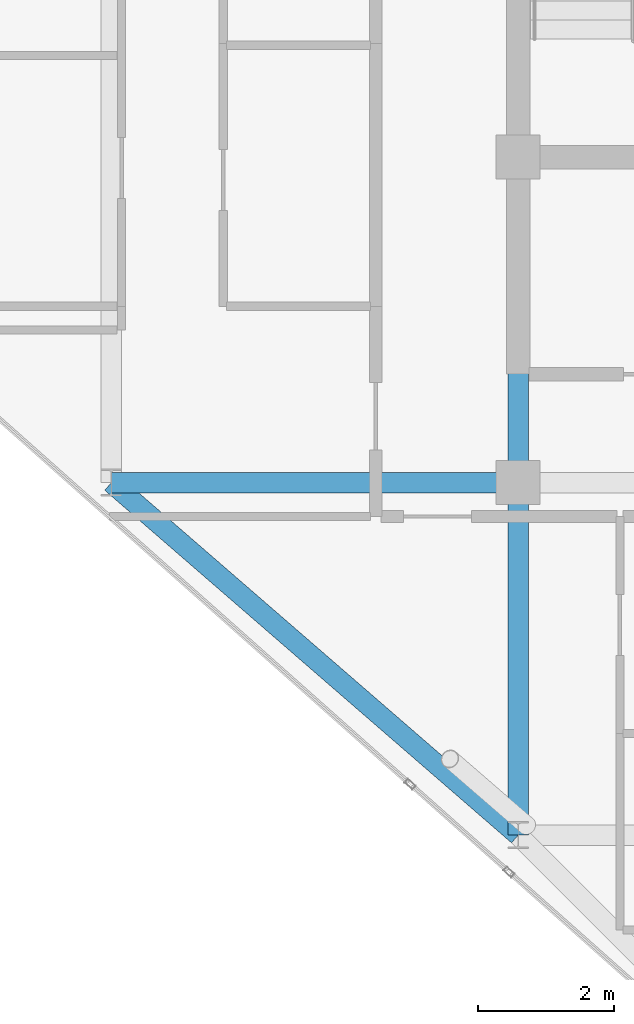
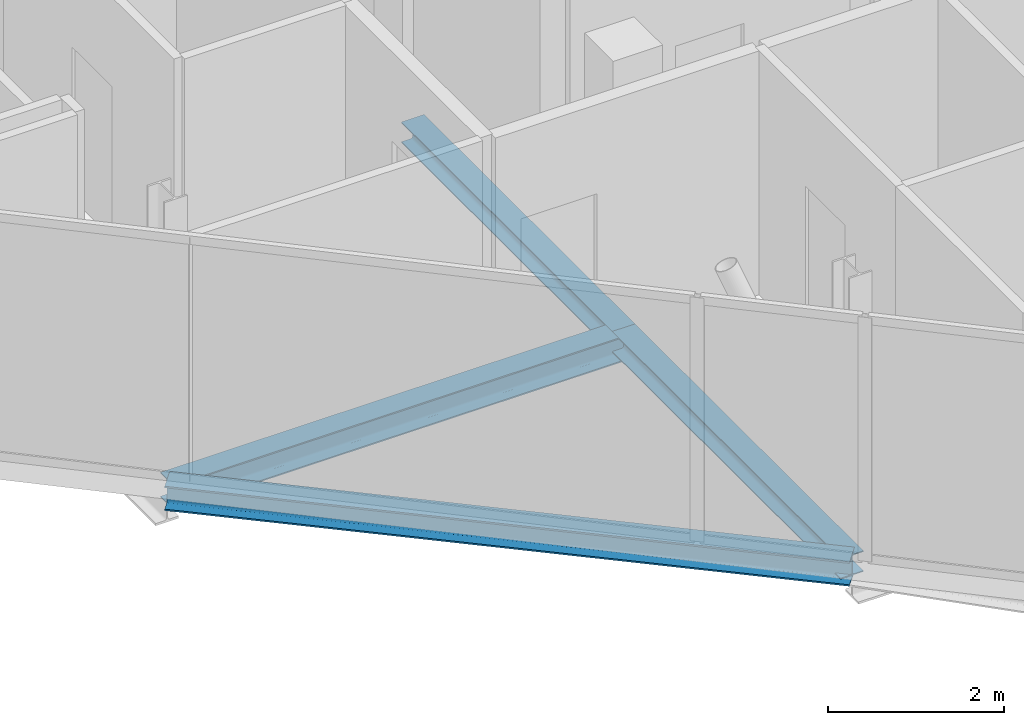
# One storey, part 5 of 27: 4 beams.
"""IFC4 building model written with IfcOpenShell, lengths in metres."""

from ifc_helpers import new_model, si_unit, direction, frame, origin, origin_2d, place, context, subcontext, project, spatial, i_section, extrude, material, material_profile, profile_set, type_object, element, save


model = new_model("IFC4")

# Units and contexts
model_context = context("Model", 3, precision=1e-05, world=origin(), true_north=direction((0.0, 1.0)))
body_context = subcontext(model_context, "Body", "Model", "MODEL_VIEW")
ifc_project = project(units=[si_unit("LENGTHUNIT", "METRE"), si_unit("AREAUNIT", "SQUARE_METRE"), si_unit("VOLUMEUNIT", "CUBIC_METRE"), si_unit("PLANEANGLEUNIT", "RADIAN"), si_unit("MASSUNIT", "GRAM", prefix="KILO")], contexts=[model_context])

# Site, building, storey
site_placement = place(None, origin())
site = spatial("IfcSite", under=ifc_project, at=site_placement, CompositionType="ELEMENT")
building_placement = place(site_placement, origin())
building = spatial("IfcBuilding", under=site, at=building_placement, Name="Keshet Zoharim Tower", CompositionType="ELEMENT")
storey_placement = place(building_placement, frame((0.0, 0.0, 284.300048828125)))
storey = spatial("IfcBuildingStorey", under=building, at=storey_placement, Name="L71", CompositionType="ELEMENT", Elevation=284.300048828125)

# Beams
ifc_material = material(Name="Steel S355", Category="steel")
ifc_material_profile_1 = material_profile(ifc_material, i_section(OverallWidth=0.300048828125, OverallDepth=0.2900390625, WebThickness=0.008544921875, FlangeThickness=0.013916015625, FilletRadius=0.027099609375, at=origin_2d()), Name="HEA300")
ifc_profile_set_1 = profile_set([ifc_material_profile_1], Name="Steel S355")
beam_type_1 = type_object("IfcBeamType", Name="BM-PRI-HA300", PredefinedType="BEAM", material=ifc_profile_set_1)
beam_1_placement = place(storey_placement, frame((15.0, 12.699951171875, -0.455078125), z_axis=(0.0, 1.0, 0.0), x_axis=(-1.0, 0.0, 0.0)))
element("IfcBeam", 1, at=beam_1_placement, inside=storey, type_object=beam_type_1, Name="L71 Primary Girder Y-002", PredefinedType="BEAM", context=body_context, shape_type="SweptSolid", body=[
    extrude(i_section(OverallWidth=0.300048828125, OverallDepth=0.2900390625, WebThickness=0.008544921875, FlangeThickness=0.013916015625, FilletRadius=0.027099609375, at=origin_2d()), origin(), (0.0, 0.0, 1.0), 5.199951171875),
])
beam_2_placement = place(storey_placement, frame((15.0, 17.89990234375, -0.455078125), z_axis=(0.0, 1.0, 0.0), x_axis=(-1.0, 0.0, 0.0)))
element("IfcBeam", 2, at=beam_2_placement, inside=storey, type_object=beam_type_1, Name="L71 Primary Girder Y-003", PredefinedType="BEAM", context=body_context, shape_type="SweptSolid", body=[
    extrude(i_section(OverallWidth=0.300048828125, OverallDepth=0.2900390625, WebThickness=0.008544921875, FlangeThickness=0.013916015625, FilletRadius=0.027099609375, at=origin_2d()), origin(), (0.0, 0.0, 1.0), 4.800048828125),
])
ifc_material_profile_2 = material_profile(ifc_material, i_section(OverallWidth=0.300048828125, OverallDepth=0.35009765625, WebThickness=0.010009765625, FlangeThickness=0.017578125, FilletRadius=0.027099609375, at=origin_2d()), Name="HEA360")
ifc_profile_set_2 = profile_set([ifc_material_profile_2], Name="Steel S355")
beam_type_2 = type_object("IfcBeamType", Name="BM-PRI-HA360", PredefinedType="BEAM", material=ifc_profile_set_2)
beam_3_placement = place(storey_placement, frame((9.0, 17.89990234375, -0.485107421875), z_axis=(1.0, 0.0, 0.0), x_axis=(0.0, 1.0, 0.0)))
element("IfcBeam", 3, at=beam_3_placement, inside=storey, type_object=beam_type_2, Name="L71 Primary Girder X-005", PredefinedType="BEAM", context=body_context, shape_type="SweptSolid", body=[
    extrude(i_section(OverallWidth=0.300048828125, OverallDepth=0.35009765625, WebThickness=0.010009765625, FlangeThickness=0.017578125, FilletRadius=0.027099609375, at=origin_2d()), origin(), (0.0, 0.0, 1.0), 6.0),
])
ifc_material_profile_3 = material_profile(ifc_material, i_section(OverallWidth=0.300048828125, OverallDepth=0.340087890625, WebThickness=0.011962890625, FlangeThickness=0.021484375, FilletRadius=0.027099609375, at=origin_2d()), Name="HEB340")
ifc_profile_set_3 = profile_set([ifc_material_profile_3], Name="Steel S355")
beam_type_3 = type_object("IfcBeamType", Name="BM-SPN-HB340", PredefinedType="SPANDREL", material=ifc_profile_set_3)
beam_4_placement = place(storey_placement, frame((9.0, 17.89990234375, -0.47998046875), z_axis=(0.755692126483, -0.654927026447, 0.0), x_axis=(0.654927026447, 0.755692126483, 0.0)))
element("IfcBeam", 4, at=beam_4_placement, inside=storey, type_object=beam_type_3, Name="L71 Perimeter Spandrel Beam 02", PredefinedType="SPANDREL", context=body_context, shape_type="SweptSolid", body=[
    extrude(i_section(OverallWidth=0.300048828125, OverallDepth=0.340087890625, WebThickness=0.011962890625, FlangeThickness=0.021484375, FilletRadius=0.027099609375, at=origin_2d()), origin(), (0.0, 0.0, 1.0), 7.939697265625),
])

save(model, "model.ifc")
